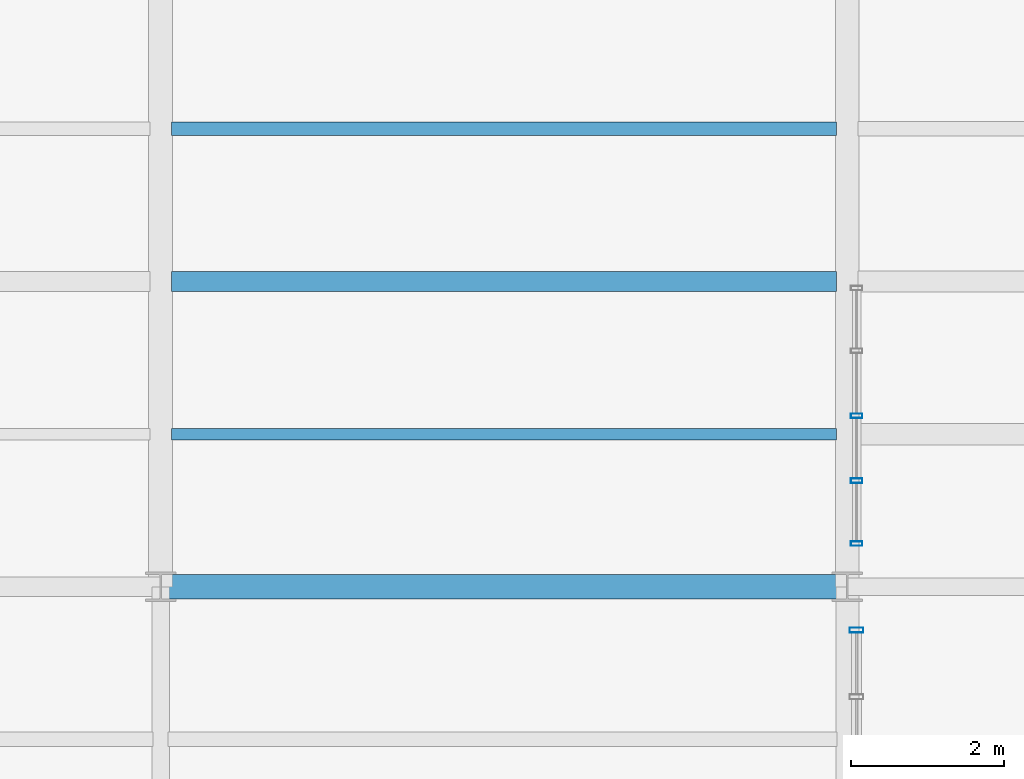
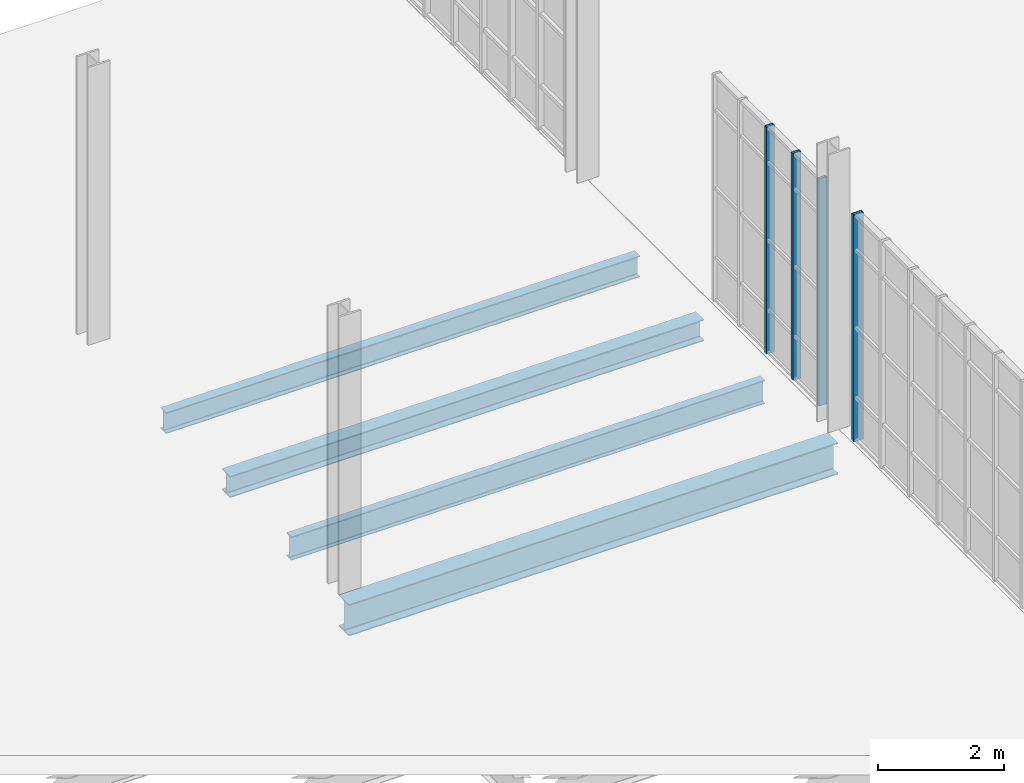
# One storey, part 94 of 189: 4 beams, 4 members, 2 elements without a shape of their own.
"""IFC4 building model written with IfcOpenShell, lengths in metres."""

from ifc_helpers import new_model, si_unit, direction, frame, origin, origin_2d, place, context, subcontext, project, spatial, hollow_rectangle, i_section, extrude, material, layer, layer_set, material_profile, profile_set, type_object, element, aggregate, save


model = new_model("IFC4")

# Units and contexts
model_context = context("Model", 3, precision=1e-05, world=origin(), true_north=direction((0.0, 1.0)))
body_context = subcontext(model_context, "Body", "Model", "MODEL_VIEW")
ifc_project = project(units=[si_unit("LENGTHUNIT", "METRE"), si_unit("AREAUNIT", "SQUARE_METRE"), si_unit("VOLUMEUNIT", "CUBIC_METRE"), si_unit("PLANEANGLEUNIT", "RADIAN"), si_unit("MASSUNIT", "GRAM", prefix="KILO"), si_unit("THERMODYNAMICTEMPERATUREUNIT", "KELVIN"), si_unit("POWERUNIT", "WATT")], contexts=[model_context])

# Site, building, storey
site_placement = place(None, origin())
site = spatial("IfcSite", under=ifc_project, at=site_placement, CompositionType="ELEMENT")
building_placement = place(site_placement, origin())
building = spatial("IfcBuilding", under=site, at=building_placement, Name="Zelmaris Science Centre", CompositionType="ELEMENT")
storey_placement = place(building_placement, origin())
storey = spatial("IfcBuildingStorey", under=building, at=storey_placement, Name="L00", CompositionType="ELEMENT", Elevation=0.0)

# Curtain wall, members
ifc_material_1 = material(Name="Anodised architectural aluminium 6063-T6", Category="aluminium")
ifc_layer_1 = layer(ifc_material_1, 0.219970703125, Name="Anodised architectural aluminium 6063-T6")
ifc_layer_set_1 = layer_set([ifc_layer_1], Name="Anodised architectural aluminium 6063-T6")
curtain_wall_type_1 = type_object("IfcCurtainWallType", Name="Curtain Wall CW-04", PredefinedType="USERDEFINED", material=ifc_layer_set_1)
curtain_wall_1_placement = place(storey_placement, origin())
curtain_wall_1 = element("IfcCurtainWall", 1, at=curtain_wall_1_placement, inside=storey, type_object=curtain_wall_type_1, Name="L00 Unitised curtain wall 80", ObjectType="GLAZED CURTAIN WALL", PredefinedType="USERDEFINED")
ifc_material_profile_1 = material_profile(ifc_material_1, hollow_rectangle(XDim=0.06005859375, YDim=0.14990234375, WallThickness=0.00341796875, at=origin_2d()), Name="ALU-MUL-60X150")
ifc_profile_set_1 = profile_set([ifc_material_profile_1], Name="Anodised architectural aluminium 6063-T6")
member_type_1 = type_object("IfcMemberType", Name="ALU-MUL-60X150", PredefinedType="MULLION", material=ifc_profile_set_1)
member_1_placement = place(storey_placement, frame((90.1201171875, 72.56591796875, -0.014892578125), z_axis=(0.0, 0.0, 1.0), x_axis=(0.0, 1.0, 0.0)))
member_1 = element("IfcMember", 2, at=member_1_placement, type_object=member_type_1, Name="CW-04 mullion 1", PredefinedType="MULLION", context=body_context, shape_type="SweptSolid", body=[
    extrude(hollow_rectangle(XDim=0.06005859375, YDim=0.14990234375, WallThickness=0.00341796875, at=origin_2d()), origin(), (0.0, 0.0, 1.0), 4.4169921875),
])
member_2_placement = place(storey_placement, frame((90.1201171875, 73.389892578125, -0.014892578125), z_axis=(0.0, 0.0, 1.0), x_axis=(0.0, 1.0, 0.0)))
member_2 = element("IfcMember", 3, at=member_2_placement, type_object=member_type_1, Name="CW-04 mullion 2", PredefinedType="MULLION", context=body_context, shape_type="SweptSolid", body=[
    extrude(hollow_rectangle(XDim=0.06005859375, YDim=0.14990234375, WallThickness=0.00341796875, at=origin_2d()), origin(), (0.0, 0.0, 1.0), 4.4169921875),
])
member_3_placement = place(storey_placement, frame((90.1201171875, 74.239990234375, -0.014892578125), z_axis=(0.0, 0.0, 1.0), x_axis=(0.0, 1.0, 0.0)))
member_3 = element("IfcMember", 4, at=member_3_placement, type_object=member_type_1, Name="CW-04 mullion 3", PredefinedType="MULLION", context=body_context, shape_type="SweptSolid", body=[
    extrude(hollow_rectangle(XDim=0.06005859375, YDim=0.14990234375, WallThickness=0.00341796875, at=origin_2d()), origin(), (0.0, 0.0, 1.0), 4.4169921875),
])
aggregate(curtain_wall_1, [member_1, member_2, member_3])

# Curtain wall, member
ifc_layer_2 = layer(ifc_material_1, 0.2099609375, Name="Anodised architectural aluminium 6063-T6")
ifc_layer_set_2 = layer_set([ifc_layer_2], Name="Anodised architectural aluminium 6063-T6")
curtain_wall_type_2 = type_object("IfcCurtainWallType", Name="Curtain Wall CW-03", PredefinedType="USERDEFINED", material=ifc_layer_set_2)
curtain_wall_2_placement = place(storey_placement, origin())
curtain_wall_2 = element("IfcCurtainWall", 5, at=curtain_wall_2_placement, inside=storey, type_object=curtain_wall_type_2, Name="L00 Unitised curtain wall 79", ObjectType="GLAZED CURTAIN WALL", PredefinedType="USERDEFINED")
ifc_material_profile_2 = material_profile(ifc_material_1, hollow_rectangle(XDim=0.06494140625, YDim=0.179931640625, WallThickness=0.00390625, at=origin_2d()), Name="ALU-MUL-65X180")
ifc_profile_set_2 = profile_set([ifc_material_profile_2], Name="Anodised architectural aluminium 6063-T6")
member_type_2 = type_object("IfcMemberType", Name="ALU-MUL-65X180", PredefinedType="MULLION", material=ifc_profile_set_2)
member_4_placement = place(storey_placement, frame((90.1201171875, 71.431396484375, -0.014892578125), z_axis=(0.0, 0.0, 1.0), x_axis=(0.0, 1.0, 0.0)))
member_4 = element("IfcMember", 6, at=member_4_placement, type_object=member_type_2, Name="CW-03 mullion 7", PredefinedType="MULLION", context=body_context, shape_type="SweptSolid", body=[
    extrude(hollow_rectangle(XDim=0.06494140625, YDim=0.179931640625, WallThickness=0.00390625, at=origin_2d()), origin(), (0.0, 0.0, 1.0), 4.4169921875),
])
aggregate(curtain_wall_2, [member_4])

# Beams
ifc_material_2 = material(Name="Steel ASTM A992 Grade 50", Category="steel")
ifc_material_profile_3 = material_profile(ifc_material_2, i_section(OverallWidth=0.324951171875, OverallDepth=0.612060546875, WebThickness=0.0126953125, FlangeThickness=0.01904296875, FilletRadius=0.014892578125, at=origin_2d()), Name="W24X104")
ifc_profile_set_3 = profile_set([ifc_material_profile_3], Name="Steel ASTM A992 Grade 50")
beam_type_1 = type_object("IfcBeamType", Name="Beam G-15 W24X104", PredefinedType="BEAM", material=ifc_profile_set_3)
beam_1_placement = place(storey_placement, frame((81.0, 72.0, -0.5859375), z_axis=(1.0, 0.0, 0.0), x_axis=(0.0, 1.0, 0.0)))
element("IfcBeam", 7, at=beam_1_placement, inside=storey, type_object=beam_type_1, Name="L00 East-west girder 163", PredefinedType="BEAM", context=body_context, shape_type="SweptSolid", body=[
    extrude(i_section(OverallWidth=0.324951171875, OverallDepth=0.612060546875, WebThickness=0.0126953125, FlangeThickness=0.01904296875, FilletRadius=0.014892578125, at=origin_2d()), origin(), (0.0, 0.0, 1.0), 9.0),
])
ifc_material_profile_4 = material_profile(ifc_material_2, i_section(OverallWidth=0.152099609375, OverallDepth=0.455078125, WebThickness=0.008056640625, FlangeThickness=0.01318359375, FilletRadius=0.012939453125, at=origin_2d()), Name="W18X40")
ifc_profile_set_4 = profile_set([ifc_material_profile_4], Name="Steel ASTM A992 Grade 50")
beam_type_2 = type_object("IfcBeamType", Name="Beam J-05 W18X40", PredefinedType="JOIST", material=ifc_profile_set_4)
beam_2_placement = place(storey_placement, frame((81.14111328125, 74.0, -0.507568359375), z_axis=(1.0, 0.0, 0.0), x_axis=(0.0, 1.0, 0.0)))
element("IfcBeam", 8, at=beam_2_placement, inside=storey, type_object=beam_type_2, Name="L00 Composite floor joist 58", PredefinedType="JOIST", context=body_context, shape_type="SweptSolid", body=[
    extrude(i_section(OverallWidth=0.152099609375, OverallDepth=0.455078125, WebThickness=0.008056640625, FlangeThickness=0.01318359375, FilletRadius=0.012939453125, at=origin_2d()), origin(), (0.0, 0.0, 1.0), 8.718994140625),
])
ifc_material_profile_5 = material_profile(ifc_material_2, i_section(OverallWidth=0.260009765625, OverallDepth=0.4140625, WebThickness=0.010009765625, FlangeThickness=0.016845703125, FilletRadius=0.011962890625, at=origin_2d()), Name="W16X67")
ifc_profile_set_5 = profile_set([ifc_material_profile_5], Name="Steel ASTM A992 Grade 50")
beam_type_3 = type_object("IfcBeamType", Name="Beam J-06 W16X67", PredefinedType="JOIST", material=ifc_profile_set_5)
beam_3_placement = place(storey_placement, frame((81.14111328125, 76.0, -0.487060546875), z_axis=(1.0, 0.0, 0.0), x_axis=(0.0, 1.0, 0.0)))
element("IfcBeam", 9, at=beam_3_placement, inside=storey, type_object=beam_type_3, Name="L00 Composite floor joist 59", PredefinedType="JOIST", context=body_context, shape_type="SweptSolid", body=[
    extrude(i_section(OverallWidth=0.260009765625, OverallDepth=0.4140625, WebThickness=0.010009765625, FlangeThickness=0.016845703125, FilletRadius=0.011962890625, at=origin_2d()), origin(), (0.0, 0.0, 1.0), 8.718994140625),
])
ifc_material_profile_6 = material_profile(ifc_material_2, i_section(OverallWidth=0.177978515625, OverallDepth=0.408935546875, WebThickness=0.0087890625, FlangeThickness=0.014404296875, FilletRadius=0.011962890625, at=origin_2d()), Name="W16X45")
ifc_profile_set_6 = profile_set([ifc_material_profile_6], Name="Steel ASTM A992 Grade 50")
beam_type_4 = type_object("IfcBeamType", Name="Beam J-07 W16X45", PredefinedType="JOIST", material=ifc_profile_set_6)
beam_4_placement = place(storey_placement, frame((81.14111328125, 78.0, -0.484619140625), z_axis=(1.0, 0.0, 0.0), x_axis=(0.0, 1.0, 0.0)))
element("IfcBeam", 10, at=beam_4_placement, inside=storey, type_object=beam_type_4, Name="L00 Composite floor joist 60", PredefinedType="JOIST", context=body_context, shape_type="SweptSolid", body=[
    extrude(i_section(OverallWidth=0.177978515625, OverallDepth=0.408935546875, WebThickness=0.0087890625, FlangeThickness=0.014404296875, FilletRadius=0.011962890625, at=origin_2d()), origin(), (0.0, 0.0, 1.0), 8.718994140625),
])

save(model, "model.ifc")
